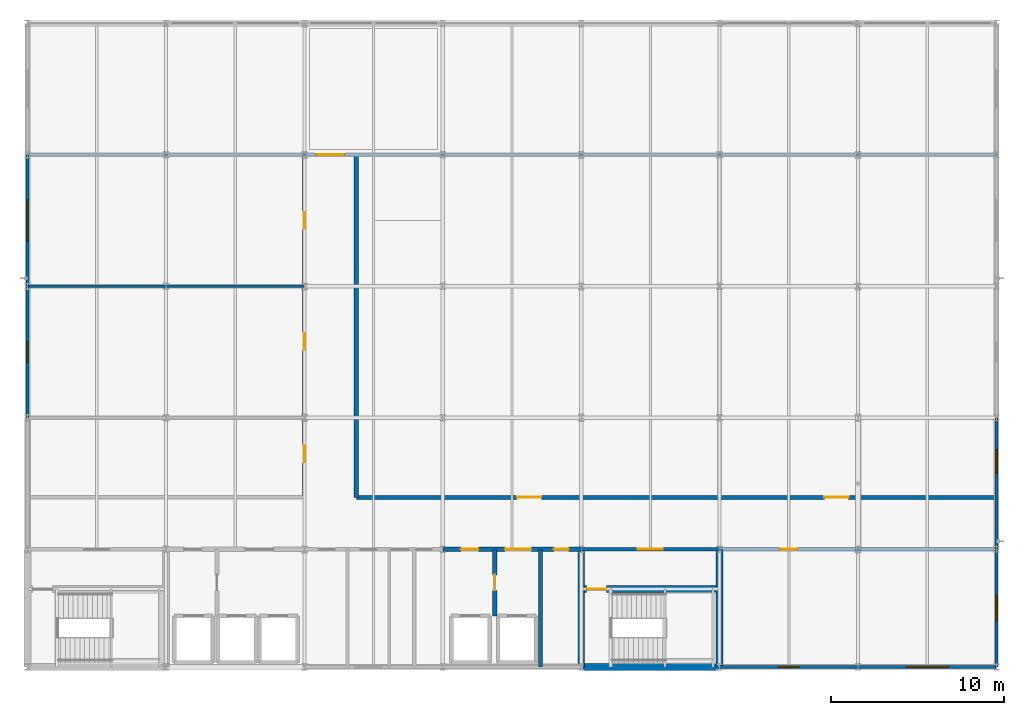
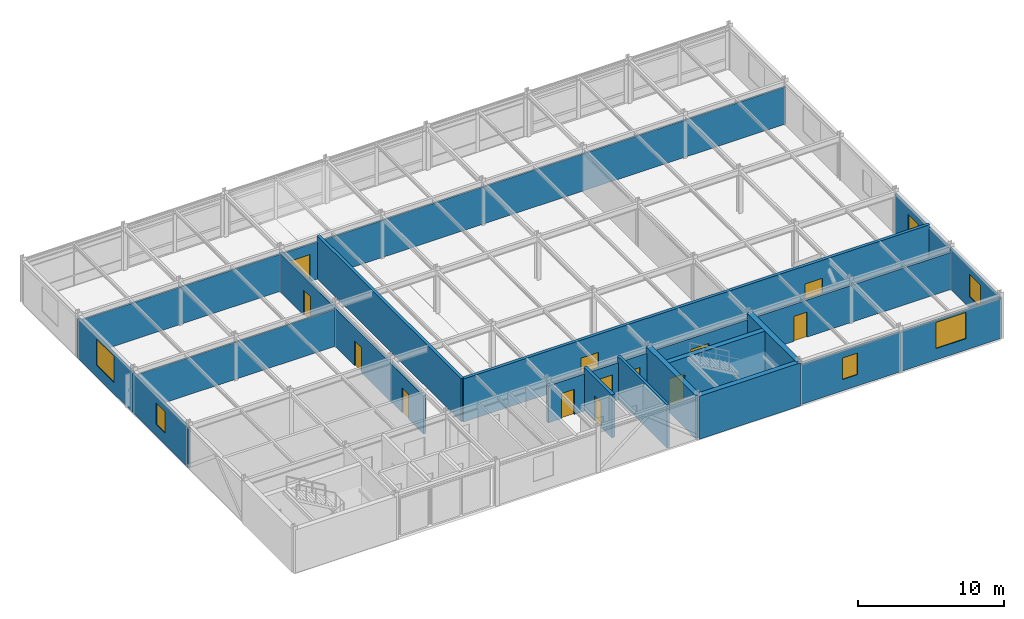
# One storey, part 12 of 15: 20 walls, 13 doors, 6 windows, 19 openings.
"""IFC4 building model written with IfcOpenShell, lengths in metres."""

from ifc_helpers import new_model, si_unit, direction, frame, frame_2d, origin, place, context, subcontext, project, spatial, rectangle, extrude, material, layer, layer_set, type_object, element, fill, save


model = new_model("IFC4")

# Units and contexts
model_context = context("Model", 3, precision=1e-05, world=origin(), true_north=direction((0.0, 1.0)))
body_context = subcontext(model_context, "Body", "Model", "MODEL_VIEW")
ifc_project = project(units=[si_unit("LENGTHUNIT", "METRE"), si_unit("AREAUNIT", "SQUARE_METRE"), si_unit("VOLUMEUNIT", "CUBIC_METRE"), si_unit("PLANEANGLEUNIT", "RADIAN"), si_unit("MASSUNIT", "GRAM", prefix="KILO")], contexts=[model_context])

# Site, building, storey
site_placement = place(None, origin())
site = spatial("IfcSite", under=ifc_project, at=site_placement, CompositionType="ELEMENT")
building_placement = place(site_placement, origin())
building = spatial("IfcBuilding", under=site, at=building_placement, Name="Shalkamar Park Central Library", CompositionType="ELEMENT")
storey_placement = place(building_placement, frame((0.0, 0.0, 47.699951171875)))
storey = spatial("IfcBuildingStorey", under=building, at=storey_placement, Name="L12", CompositionType="ELEMENT", Elevation=47.699951171875)

# Wall, opening, door
ifc_material_1 = material(Name="Acoustic insulated reading partition", Category="masonry")
ifc_layer_1 = layer(ifc_material_1, 0.139892578125)
ifc_layer_set_1 = layer_set([ifc_layer_1], Name="AcousticPartition_140")
wall_type_1 = type_object("IfcWallType", Name="Acoustic Partition 140", PredefinedType="PARTITIONING", material=ifc_layer_set_1)
wall_1_placement = place(storey_placement, frame((165.0, 278.0, 0.0), z_axis=(0.0, 0.0, 1.0), x_axis=(1.0, 0.0, 0.0)))
wall_1 = element("IfcWall", 1, at=wall_1_placement, inside=storey, type_object=wall_type_1, Name="Interior Partition WL-INT-L12-018", PredefinedType="PARTITIONING", context=body_context, shape_type="SweptSolid", body=[
    extrude(rectangle(XDim=56.0, YDim=0.139892578125, at=frame_2d((28.0, 0.0))), origin(), (0.0, 0.0, 1.0), 3.108154296875),
])
opening_1_placement = place(wall_1_placement, frame((16.699951171875, 0.0, 0.0)))
opening_1 = element("IfcOpeningElement", 2, at=opening_1_placement, cuts=wall_1, Name="Opening DR-L12-018", PredefinedType="OPENING", context=body_context, shape_type="SweptSolid", body=[
    extrude(rectangle(XDim=1.60009765625, YDim=2.25, at=frame_2d((0.800048828125, 1.125))), frame((0.0, 0.0849609375, 0.0), z_axis=(0.0, -1.0, 0.0), x_axis=(1.0, 0.0, 0.0)), (0.0, 0.0, 1.0), 0.169677734375),
])
ifc_material_2 = material(Name="Steel S355", Category="steel")
door_type_1 = type_object("IfcDoorType", Name="Interior Door Double 1600x2250", OperationType="DOUBLE_DOOR_SINGLE_SWING", PredefinedType="DOOR", material=ifc_material_2)
door_1_placement = place(opening_1_placement, origin())
door_1 = element("IfcDoor", 3, at=door_1_placement, inside=storey, type_object=door_type_1, Name="L12 Scholarly Reading Room Portal", OperationType="DOUBLE_DOOR_SINGLE_SWING", OverallHeight=2.25, OverallWidth=1.60009765625, PredefinedType="DOOR", context=body_context, shape_type="SweptSolid", body=[
    extrude(rectangle(XDim=1.60009765625, YDim=2.25, at=frame_2d((0.800048828125, 1.125))), frame((0.0, 0.02490234375, 0.0), z_axis=(0.0, -1.0, 0.0), x_axis=(1.0, 0.0, 0.0)), (0.0, 0.0, 1.0), 0.050048828125),
])
fill(opening_1, door_1)

ifc_material_3 = material(Name="Reinforced fire-compartment masonry wall", Category="masonry")
ifc_layer_2 = layer(ifc_material_3, 0.239990234375)
ifc_layer_set_2 = layer_set([ifc_layer_2], Name="CompartmentWall_240")
wall_type_2 = type_object("IfcWallType", Name="Compartment Wall 240", PredefinedType="PARTITIONING", material=ifc_layer_set_2)
wall_2_placement = place(storey_placement, frame((192.0, 251.35009765625, 0.0), z_axis=(0.0, 0.0, 1.0), x_axis=(0.0, 1.0, 0.0)))
wall_2 = element("IfcWall", 4, at=wall_2_placement, inside=storey, type_object=wall_type_2, Name="Interior Partition WL-INT-L12-002", PredefinedType="PARTITIONING", context=body_context, shape_type="SweptSolid", body=[
    extrude(rectangle(XDim=3.849853515625, YDim=0.239990234375, at=frame_2d((1.9248046875, 0.0))), origin(), (0.0, 0.0, 1.0), 3.610107421875),
])
opening_2_placement = place(wall_2_placement, frame((1.47509765625, 0.0, 0.0)))
opening_2 = element("IfcOpeningElement", 5, at=opening_2_placement, cuts=wall_2, Name="Opening DR-L12-002", PredefinedType="OPENING", context=body_context, shape_type="SweptSolid", body=[
    extrude(rectangle(XDim=0.89990234375, YDim=2.10009765625, at=frame_2d((0.449951171875, 1.050048828125))), frame((0.0, 0.134765625, 0.0), z_axis=(0.0, -1.0, 0.0), x_axis=(1.0, 0.0, 0.0)), (0.0, 0.0, 1.0), 0.269775390625),
])
door_type_2 = type_object("IfcDoorType", Name="Fire Door Single 900x2100", OperationType="NOTDEFINED", PredefinedType="DOOR", material=ifc_material_2)
door_2_placement = place(opening_2_placement, frame((0.89990234375, 0.0, 0.0), z_axis=(0.0, 0.0, 1.0), x_axis=(-1.0, 0.0, 0.0)))
door_2 = element("IfcDoor", 6, at=door_2_placement, inside=storey, type_object=door_type_2, Name="Fire Lobby Interconnect Door", OperationType="SINGLE_SWING_LEFT", OverallHeight=2.10009765625, OverallWidth=0.89990234375, PredefinedType="DOOR", context=body_context, shape_type="SweptSolid", body=[
    extrude(rectangle(XDim=0.89990234375, YDim=2.10009765625, at=frame_2d((0.449951171875, 1.050048828125))), frame((0.0, 0.02490234375, 0.0), z_axis=(0.0, -1.0, 0.0), x_axis=(1.0, 0.0, 0.0)), (0.0, 0.0, 1.0), 0.050048828125),
])
fill(opening_2, door_2)

# Wall, openings, doors
wall_3_placement = place(storey_placement, frame((189.0, 255.199951171875, 0.0), z_axis=(0.0, 0.0, 1.0), x_axis=(1.0, 0.0, 0.0)))
wall_3 = element("IfcWall", 7, at=wall_3_placement, inside=storey, type_object=wall_type_2, Name="Interior Partition WL-INT-L12-009", PredefinedType="PARTITIONING", context=body_context, shape_type="SweptSolid", body=[
    extrude(rectangle(XDim=8.0, YDim=0.239990234375, at=frame_2d((4.0, 0.0))), origin(), (0.0, 0.0, 1.0), 3.108154296875),
])
opening_3_placement = place(wall_3_placement, frame((1.050048828125, 0.0, 0.0)))
opening_3 = element("IfcOpeningElement", 8, at=opening_3_placement, cuts=wall_3, Name="Opening DR-L12-009", PredefinedType="OPENING", context=body_context, shape_type="SweptSolid", body=[
    extrude(rectangle(XDim=1.0, YDim=2.10009765625, at=frame_2d((0.5, 1.050048828125))), frame((0.0, 0.134765625, 0.0), z_axis=(0.0, -1.0, 0.0), x_axis=(1.0, 0.0, 0.0)), (0.0, 0.0, 1.0), 0.269775390625),
])
opening_4_placement = place(wall_3_placement, frame((3.60009765625, 0.0, 0.0)))
opening_4 = element("IfcOpeningElement", 9, at=opening_4_placement, cuts=wall_3, Name="Opening DR-L12-010", PredefinedType="OPENING", context=body_context, shape_type="SweptSolid", body=[
    extrude(rectangle(XDim=1.5, YDim=2.25, at=frame_2d((0.75, 1.125))), frame((0.0, 0.134765625, 0.0), z_axis=(0.0, -1.0, 0.0), x_axis=(1.0, 0.0, 0.0)), (0.0, 0.0, 1.0), 0.269775390625),
])
opening_5_placement = place(wall_3_placement, frame((6.425048828125, 0.0, 0.0)))
opening_5 = element("IfcOpeningElement", 10, at=opening_5_placement, cuts=wall_3, Name="Opening DR-L12-011", PredefinedType="OPENING", context=body_context, shape_type="SweptSolid", body=[
    extrude(rectangle(XDim=0.85009765625, YDim=2.10009765625, at=frame_2d((0.425048828125, 1.050048828125))), frame((0.0, 0.134765625, 0.0), z_axis=(0.0, -1.0, 0.0), x_axis=(1.0, 0.0, 0.0)), (0.0, 0.0, 1.0), 0.269775390625),
])
door_type_3 = type_object("IfcDoorType", Name="Fire Door Riser 850x2100", OperationType="NOTDEFINED", PredefinedType="DOOR", material=ifc_material_2)
door_3_placement = place(opening_5_placement, frame((0.85009765625, 0.0, 0.0), z_axis=(0.0, 0.0, 1.0), x_axis=(-1.0, 0.0, 0.0)))
door_3 = element("IfcDoor", 11, at=door_3_placement, inside=storey, type_object=door_type_3, Name="Mechanical Riser Access Door", OperationType="SINGLE_SWING_LEFT", OverallHeight=2.10009765625, OverallWidth=0.85009765625, PredefinedType="DOOR", context=body_context, shape_type="SweptSolid", body=[
    extrude(rectangle(XDim=0.85009765625, YDim=2.10009765625, at=frame_2d((0.425048828125, 1.050048828125))), frame((0.0, 0.02490234375, 0.0), z_axis=(0.0, -1.0, 0.0), x_axis=(1.0, 0.0, 0.0)), (0.0, 0.0, 1.0), 0.050048828125),
])
fill(opening_5, door_3)
door_type_4 = type_object("IfcDoorType", Name="Fire Door Single 1000x2100", OperationType="NOTDEFINED", PredefinedType="DOOR", material=ifc_material_2)
door_4_placement = place(opening_3_placement, origin())
door_4 = element("IfcDoor", 12, at=door_4_placement, inside=storey, type_object=door_type_4, Name="East Firefighting Lobby Door", OperationType="SINGLE_SWING_LEFT", OverallHeight=2.10009765625, OverallWidth=1.0, PredefinedType="DOOR", context=body_context, shape_type="SweptSolid", body=[
    extrude(rectangle(XDim=1.0, YDim=2.10009765625, at=frame_2d((0.5, 1.050048828125))), frame((0.0, 0.02490234375, 0.0), z_axis=(0.0, -1.0, 0.0), x_axis=(1.0, 0.0, 0.0)), (0.0, 0.0, 1.0), 0.050048828125),
])
fill(opening_3, door_4)
door_type_5 = type_object("IfcDoorType", Name="Interior Door Double 1500x2250", OperationType="DOUBLE_DOOR_SINGLE_SWING", PredefinedType="DOOR", material=ifc_material_2)
door_5_placement = place(opening_4_placement, origin())
door_5 = element("IfcDoor", 13, at=door_5_placement, inside=storey, type_object=door_type_5, Name="East Lift Lobby Entrance", OperationType="DOUBLE_DOOR_SINGLE_SWING", OverallHeight=2.25, OverallWidth=1.5, PredefinedType="DOOR", context=body_context, shape_type="SweptSolid", body=[
    extrude(rectangle(XDim=1.5, YDim=2.25, at=frame_2d((0.75, 1.125))), frame((0.0, 0.02490234375, 0.0), z_axis=(0.0, -1.0, 0.0), x_axis=(1.0, 0.0, 0.0)), (0.0, 0.0, 1.0), 0.050048828125),
])
fill(opening_4, door_5)

# Wall
wall_4_placement = place(storey_placement, frame((184.0, 258.199951171875, 0.0), z_axis=(0.0, 0.0, 1.0), x_axis=(0.0, 1.0, 0.0)))
element("IfcWall", 14, at=wall_4_placement, inside=storey, type_object=wall_type_2, Name="Interior Partition WL-INT-L12-015", PredefinedType="PARTITIONING", context=body_context, shape_type="SweptSolid", body=[
    extrude(rectangle(XDim=19.800048828125, YDim=0.239990234375, at=frame_2d((9.89990234375, 0.0))), origin(), (0.0, 0.0, 1.0), 3.610107421875),
])

# Wall, openings, doors
wall_5_placement = place(storey_placement, frame((184.0, 258.199951171875, 0.0), z_axis=(0.0, 0.0, 1.0), x_axis=(1.0, 0.0, 0.0)))
wall_5 = element("IfcWall", 15, at=wall_5_placement, inside=storey, type_object=wall_type_2, Name="Interior Partition WL-INT-L12-016", PredefinedType="PARTITIONING", context=body_context, shape_type="SweptSolid", body=[
    extrude(rectangle(XDim=37.0, YDim=0.239990234375, at=frame_2d((18.5, 0.0))), origin(), (0.0, 0.0, 1.0), 3.610107421875),
])
opening_6_placement = place(wall_5_placement, frame((9.300048828125, 0.0, 0.0)))
opening_6 = element("IfcOpeningElement", 16, at=opening_6_placement, cuts=wall_5, Name="Opening DR-L12-016", PredefinedType="OPENING", context=body_context, shape_type="SweptSolid", body=[
    extrude(rectangle(XDim=1.39990234375, YDim=2.10009765625, at=frame_2d((0.699951171875, 1.050048828125))), frame((0.0, 0.134765625, 0.0), z_axis=(0.0, -1.0, 0.0), x_axis=(1.0, 0.0, 0.0)), (0.0, 0.0, 1.0), 0.269775390625),
])
opening_7_placement = place(wall_5_placement, frame((27.06005859375, 0.0, 0.0)))
opening_7 = element("IfcOpeningElement", 17, at=opening_7_placement, cuts=wall_5, Name="Opening DR-L12-017", PredefinedType="OPENING", context=body_context, shape_type="SweptSolid", body=[
    extrude(rectangle(XDim=1.39990234375, YDim=2.10009765625, at=frame_2d((0.699951171875, 1.050048828125))), frame((0.0, 0.134765625, 0.0), z_axis=(0.0, -1.0, 0.0), x_axis=(1.0, 0.0, 0.0)), (0.0, 0.0, 1.0), 0.269775390625),
])
door_type_6 = type_object("IfcDoorType", Name="Fire Door Double 1400x2100", OperationType="DOUBLE_DOOR_SINGLE_SWING", PredefinedType="DOOR", material=ifc_material_2)
door_6_placement = place(opening_6_placement, origin())
door_6 = element("IfcDoor", 18, at=door_6_placement, inside=storey, type_object=door_type_6, Name="L12 Monograph Stacks West Door", OperationType="DOUBLE_DOOR_SINGLE_SWING", OverallHeight=2.10009765625, OverallWidth=1.39990234375, PredefinedType="DOOR", context=body_context, shape_type="SweptSolid", body=[
    extrude(rectangle(XDim=1.39990234375, YDim=2.10009765625, at=frame_2d((0.699951171875, 1.050048828125))), frame((0.0, 0.02490234375, 0.0), z_axis=(0.0, -1.0, 0.0), x_axis=(1.0, 0.0, 0.0)), (0.0, 0.0, 1.0), 0.050048828125),
])
fill(opening_6, door_6)
door_7_placement = place(opening_7_placement, origin())
door_7 = element("IfcDoor", 19, at=door_7_placement, inside=storey, type_object=door_type_6, Name="L12 Monograph Stacks East Door", OperationType="DOUBLE_DOOR_SINGLE_SWING", OverallHeight=2.10009765625, OverallWidth=1.39990234375, PredefinedType="DOOR", context=body_context, shape_type="SweptSolid", body=[
    extrude(rectangle(XDim=1.39990234375, YDim=2.10009765625, at=frame_2d((0.699951171875, 1.050048828125))), frame((0.0, 0.02490234375, 0.0), z_axis=(0.0, -1.0, 0.0), x_axis=(1.0, 0.0, 0.0)), (0.0, 0.0, 1.0), 0.050048828125),
])
fill(opening_7, door_7)

# Wall, opening, door
ifc_material_4 = material(Name="Fire-rated corridor partition wall", Category="masonry")
ifc_layer_3 = layer(ifc_material_4, 0.199951171875)
ifc_layer_set_3 = layer_set([ifc_layer_3], Name="CorridorFireWall_200")
wall_type_3 = type_object("IfcWallType", Name="Corridor Fire Wall 200", PredefinedType="PARTITIONING", material=ifc_layer_set_3)
wall_6_placement = place(storey_placement, frame((197.0, 255.199951171875, 0.0), z_axis=(0.0, 0.0, 1.0), x_axis=(1.0, 0.0, 0.0)))
wall_6 = element("IfcWall", 20, at=wall_6_placement, inside=storey, type_object=wall_type_3, Name="CORE-T2 Vestibule North Wall (L12)", PredefinedType="PARTITIONING", context=body_context, shape_type="SweptSolid", body=[
    extrude(rectangle(XDim=8.0, YDim=0.199951171875, at=frame_2d((4.0, 0.0))), origin(), (0.0, 0.0, 1.0), 3.108154296875),
])
opening_8_placement = place(wall_6_placement, frame((3.27490234375, 0.0, 0.0)))
opening_8 = element("IfcOpeningElement", 21, at=opening_8_placement, cuts=wall_6, Name="Opening DR-ST-T2-L12-VEST", PredefinedType="OPENING", context=body_context, shape_type="SweptSolid", body=[
    extrude(rectangle(XDim=1.449951171875, YDim=2.199951171875, at=frame_2d((0.72509765625, 1.10009765625))), frame((0.0, 0.11474609375, 0.0), z_axis=(0.0, -1.0, 0.0), x_axis=(1.0, 0.0, 0.0)), (0.0, 0.0, 1.0), 0.229736328125),
])
door_type_7 = type_object("IfcDoorType", Name="Stair Vestibule Door 1450x2200", OperationType="DOUBLE_DOOR_SINGLE_SWING", PredefinedType="DOOR", material=ifc_material_2)
door_8_placement = place(opening_8_placement, frame((1.449951171875, 0.0, 0.0), z_axis=(0.0, 0.0, 1.0), x_axis=(-1.0, 0.0, 0.0)))
door_8 = element("IfcDoor", 22, at=door_8_placement, inside=storey, type_object=door_type_7, Name="Protected Stair ST-T2 Vestibule Door (L12)", OperationType="DOUBLE_DOOR_SINGLE_SWING", OverallHeight=2.199951171875, OverallWidth=1.449951171875, PredefinedType="DOOR", context=body_context, shape_type="SweptSolid", body=[
    extrude(rectangle(XDim=1.449951171875, YDim=2.199951171875, at=frame_2d((0.72509765625, 1.10009765625))), frame((0.0, 0.02490234375, 0.0), z_axis=(0.0, -1.0, 0.0), x_axis=(1.0, 0.0, 0.0)), (0.0, 0.0, 1.0), 0.050048828125),
])
fill(opening_8, door_8)

wall_7_placement = place(storey_placement, frame((205.0, 255.199951171875, 0.0), z_axis=(0.0, 0.0, 1.0), x_axis=(1.0, 0.0, 0.0)))
wall_7 = element("IfcWall", 23, at=wall_7_placement, inside=storey, type_object=wall_type_3, Name="Interior Partition WL-INT-L12-010", PredefinedType="PARTITIONING", context=body_context, shape_type="SweptSolid", body=[
    extrude(rectangle(XDim=16.0, YDim=0.199951171875, at=frame_2d((8.0, 0.0))), origin(), (0.0, 0.0, 1.0), 3.108154296875),
])
opening_9_placement = place(wall_7_placement, frame((3.5, 0.0, 0.0)))
opening_9 = element("IfcOpeningElement", 24, at=opening_9_placement, cuts=wall_7, Name="Opening DR-L12-012", PredefinedType="OPENING", context=body_context, shape_type="SweptSolid", body=[
    extrude(rectangle(XDim=1.0, YDim=2.10009765625, at=frame_2d((0.5, 1.050048828125))), frame((0.0, 0.11474609375, 0.0), z_axis=(0.0, -1.0, 0.0), x_axis=(1.0, 0.0, 0.0)), (0.0, 0.0, 1.0), 0.229736328125),
])
door_type_8 = type_object("IfcDoorType", Name="Interior Door Single 1000x2100", OperationType="NOTDEFINED", PredefinedType="DOOR", material=ifc_material_2)
door_9_placement = place(opening_9_placement, frame((1.0, 0.0, 0.0), z_axis=(0.0, 0.0, 1.0), x_axis=(-1.0, 0.0, 0.0)))
door_9 = element("IfcDoor", 25, at=door_9_placement, inside=storey, type_object=door_type_8, Name="L12 Fellows Office Door", OperationType="SINGLE_SWING_RIGHT", OverallHeight=2.10009765625, OverallWidth=1.0, PredefinedType="DOOR", context=body_context, shape_type="SweptSolid", body=[
    extrude(rectangle(XDim=1.0, YDim=2.10009765625, at=frame_2d((0.5, 1.050048828125))), frame((0.0, 0.02490234375, 0.0), z_axis=(0.0, -1.0, 0.0), x_axis=(1.0, 0.0, 0.0)), (0.0, 0.0, 1.0), 0.050048828125),
])
fill(opening_9, door_9)

# Wall, openings, doors
wall_8_placement = place(storey_placement, frame((181.0, 258.199951171875, 0.0), z_axis=(0.0, 0.0, 1.0), x_axis=(0.0, 1.0, 0.0)))
wall_8 = element("IfcWall", 26, at=wall_8_placement, inside=storey, type_object=wall_type_3, Name="Interior Partition WL-INT-L12-012", PredefinedType="PARTITIONING", context=body_context, shape_type="SweptSolid", body=[
    extrude(rectangle(XDim=19.800048828125, YDim=0.199951171875, at=frame_2d((9.89990234375, 0.0))), origin(), (0.0, 0.0, 1.0), 3.2080078125),
])
opening_10_placement = place(wall_8_placement, frame((2.02490234375, 0.0, 0.0)))
opening_10 = element("IfcOpeningElement", 27, at=opening_10_placement, cuts=wall_8, Name="Opening DR-L12-013", PredefinedType="OPENING", context=body_context, shape_type="SweptSolid", body=[
    extrude(rectangle(XDim=0.949951171875, YDim=2.10009765625, at=frame_2d((0.47509765625, 1.050048828125))), frame((0.0, 0.11474609375, 0.0), z_axis=(0.0, -1.0, 0.0), x_axis=(1.0, 0.0, 0.0)), (0.0, 0.0, 1.0), 0.229736328125),
])
opening_11_placement = place(wall_8_placement, frame((8.52490234375, 0.0, 0.0)))
opening_11 = element("IfcOpeningElement", 28, at=opening_11_placement, cuts=wall_8, Name="Opening DR-L12-014", PredefinedType="OPENING", context=body_context, shape_type="SweptSolid", body=[
    extrude(rectangle(XDim=0.949951171875, YDim=2.10009765625, at=frame_2d((0.47509765625, 1.050048828125))), frame((0.0, 0.11474609375, 0.0), z_axis=(0.0, -1.0, 0.0), x_axis=(1.0, 0.0, 0.0)), (0.0, 0.0, 1.0), 0.229736328125),
])
opening_12_placement = place(wall_8_placement, frame((15.52490234375, 0.0, 0.0)))
opening_12 = element("IfcOpeningElement", 29, at=opening_12_placement, cuts=wall_8, Name="Opening DR-L12-015", PredefinedType="OPENING", context=body_context, shape_type="SweptSolid", body=[
    extrude(rectangle(XDim=0.949951171875, YDim=2.10009765625, at=frame_2d((0.47509765625, 1.050048828125))), frame((0.0, 0.11474609375, 0.0), z_axis=(0.0, -1.0, 0.0), x_axis=(1.0, 0.0, 0.0)), (0.0, 0.0, 1.0), 0.229736328125),
])
door_type_9 = type_object("IfcDoorType", Name="Interior Door Single 950x2100", OperationType="NOTDEFINED", PredefinedType="DOOR", material=ifc_material_2)
door_10_placement = place(opening_10_placement, origin())
door_10 = element("IfcDoor", 30, at=door_10_placement, inside=storey, type_object=door_type_9, Name="L12 Study Suite 1 Door", OperationType="SINGLE_SWING_LEFT", OverallHeight=2.10009765625, OverallWidth=0.949951171875, PredefinedType="DOOR", context=body_context, shape_type="SweptSolid", body=[
    extrude(rectangle(XDim=0.949951171875, YDim=2.10009765625, at=frame_2d((0.47509765625, 1.050048828125))), frame((0.0, 0.02490234375, 0.0), z_axis=(0.0, -1.0, 0.0), x_axis=(1.0, 0.0, 0.0)), (0.0, 0.0, 1.0), 0.050048828125),
])
fill(opening_10, door_10)
door_11_placement = place(opening_11_placement, origin())
door_11 = element("IfcDoor", 31, at=door_11_placement, inside=storey, type_object=door_type_9, Name="L12 Study Suite 2 Door", OperationType="SINGLE_SWING_LEFT", OverallHeight=2.10009765625, OverallWidth=0.949951171875, PredefinedType="DOOR", context=body_context, shape_type="SweptSolid", body=[
    extrude(rectangle(XDim=0.949951171875, YDim=2.10009765625, at=frame_2d((0.47509765625, 1.050048828125))), frame((0.0, 0.02490234375, 0.0), z_axis=(0.0, -1.0, 0.0), x_axis=(1.0, 0.0, 0.0)), (0.0, 0.0, 1.0), 0.050048828125),
])
fill(opening_11, door_11)
door_12_placement = place(opening_12_placement, origin())
door_12 = element("IfcDoor", 32, at=door_12_placement, inside=storey, type_object=door_type_9, Name="L12 Study Suite 3 Door", OperationType="SINGLE_SWING_RIGHT", OverallHeight=2.10009765625, OverallWidth=0.949951171875, PredefinedType="DOOR", context=body_context, shape_type="SweptSolid", body=[
    extrude(rectangle(XDim=0.949951171875, YDim=2.10009765625, at=frame_2d((0.47509765625, 1.050048828125))), frame((0.0, 0.02490234375, 0.0), z_axis=(0.0, -1.0, 0.0), x_axis=(1.0, 0.0, 0.0)), (0.0, 0.0, 1.0), 0.050048828125),
])
fill(opening_12, door_12)

# Walls
ifc_material_5 = material(Name="Fire-rated shaft enclosure wall", Category="masonry")
ifc_layer_4 = layer(ifc_material_5, 0.219970703125)
ifc_layer_set_4 = layer_set([ifc_layer_4], Name="ShaftWall_220")
wall_type_4 = type_object("IfcWallType", Name="Shaft Wall 220", PredefinedType="PARTITIONING", material=ifc_layer_set_4)
wall_9_placement = place(storey_placement, frame((194.64990234375, 248.39990234375, 0.0), z_axis=(0.0, 0.0, 1.0), x_axis=(0.0, 1.0, 0.0)))
element("IfcWall", 33, at=wall_9_placement, inside=storey, type_object=wall_type_4, Name="Interior Partition WL-INT-L12-003", PredefinedType="PARTITIONING", context=body_context, shape_type="SweptSolid", body=[
    extrude(rectangle(XDim=6.800048828125, YDim=0.219970703125, at=frame_2d((3.39990234375, 0.0))), origin(), (0.0, 0.0, 1.0), 3.610107421875),
])
ifc_material_6 = material(Name="Lightweight acoustic stud partition", Category="masonry")
ifc_layer_5 = layer(ifc_material_6, 0.1201171875)
ifc_layer_set_5 = layer_set([ifc_layer_5], Name="StandardPartition_120")
wall_type_5 = type_object("IfcWallType", Name="Standard Partition 120", PredefinedType="PARTITIONING", material=ifc_layer_set_5)
wall_10_placement = place(storey_placement, frame((165.0, 270.39990234375, 0.0), z_axis=(0.0, 0.0, 1.0), x_axis=(1.0, 0.0, 0.0)))
element("IfcWall", 34, at=wall_10_placement, inside=storey, type_object=wall_type_5, Name="Interior Partition WL-INT-L12-014", PredefinedType="PARTITIONING", context=body_context, shape_type="SweptSolid", body=[
    extrude(rectangle(XDim=16.0, YDim=0.1201171875, at=frame_2d((8.0, 0.0))), origin(), (0.0, 0.0, 1.0), 3.108154296875),
])
ifc_material_7 = material(Name="Concrete C40/50", Category="concrete")
ifc_layer_6 = layer(ifc_material_7, 0.39990234375)
ifc_layer_set_6 = layer_set([ifc_layer_6], Name="Concrete C40/50")
wall_type_6 = type_object("IfcWallType", Name="Tower Core Shear Wall 400", PredefinedType="SHEAR", material=ifc_layer_set_6)
wall_11_placement = place(storey_placement, frame((197.0, 248.39990234375, 0.0), z_axis=(0.0, 0.0, 1.0), x_axis=(1.0, 0.0, 0.0)))
element("IfcWall", 35, at=wall_11_placement, inside=storey, type_object=wall_type_6, Name="CORE-T2 South Shear Wall (L12)", PredefinedType="SHEAR", context=body_context, shape_type="SweptSolid", body=[
    extrude(rectangle(XDim=8.0, YDim=0.39990234375, at=frame_2d((4.0, 0.0))), origin(), (0.0, 0.0, 1.0), 3.610107421875),
])
for number, where, z_axis, x_axis, name in (
    (36, (197.0, 248.39990234375, 0.0), (0.0, 0.0, 1.0), (0.0, 1.0, 0.0), "CORE-T2 West Shear Wall (L12)"),
    (37, (205.0, 248.39990234375, 0.0), (0.0, 0.0, 1.0), (0.0, 1.0, 0.0), "CORE-T2 East Shear Wall (L12)"),
):
    element("IfcWall", number, at=place(storey_placement, frame(where, z_axis=z_axis, x_axis=x_axis)), inside=storey, type_object=wall_type_6, Name=name, PredefinedType="SHEAR", context=body_context, shape_type="SweptSolid", body=[
        extrude(rectangle(XDim=6.800048828125, YDim=0.39990234375, at=frame_2d((3.39990234375, 0.0))), origin(), (0.0, 0.0, 1.0), 3.610107421875),
    ])

# Wall, opening, door
wall_12_placement = place(storey_placement, frame((197.0, 252.89990234375, 0.0), z_axis=(0.0, 0.0, 1.0), x_axis=(1.0, 0.0, 0.0)))
wall_12 = element("IfcWall", 38, at=wall_12_placement, inside=storey, type_object=wall_type_6, Name="CORE-T2 Stairwell Wall (L12)", PredefinedType="SHEAR", context=body_context, shape_type="SweptSolid", body=[
    extrude(rectangle(XDim=8.0, YDim=0.39990234375, at=frame_2d((4.0, 0.0))), origin(), (0.0, 0.0, 1.0), 3.610107421875),
])
opening_13_placement = place(wall_12_placement, frame((0.300048828125, 0.0, 0.0)))
opening_13 = element("IfcOpeningElement", 39, at=opening_13_placement, cuts=wall_12, Name="Opening DR-ST-T2-L12-IN", PredefinedType="OPENING", context=body_context, shape_type="SweptSolid", body=[
    extrude(rectangle(XDim=1.14990234375, YDim=2.14990234375, at=frame_2d((0.574951171875, 1.074951171875))), frame((0.0, 0.21484375, 0.0), z_axis=(0.0, -1.0, 0.0), x_axis=(1.0, 0.0, 0.0)), (0.0, 0.0, 1.0), 0.4296875),
])
door_type_10 = type_object("IfcDoorType", Name="Stair Core Exit Door 1150x2150", OperationType="NOTDEFINED", PredefinedType="DOOR", material=ifc_material_2)
door_13_placement = place(opening_13_placement, frame((1.14990234375, 0.0, 0.0), z_axis=(0.0, 0.0, 1.0), x_axis=(-1.0, 0.0, 0.0)))
door_13 = element("IfcDoor", 40, at=door_13_placement, inside=storey, type_object=door_type_10, Name="Protected Stair ST-T2 Exit Door (L12)", OperationType="SINGLE_SWING_RIGHT", OverallHeight=2.14990234375, OverallWidth=1.14990234375, PredefinedType="DOOR", context=body_context, shape_type="SweptSolid", body=[
    extrude(rectangle(XDim=1.14990234375, YDim=2.14990234375, at=frame_2d((0.574951171875, 1.074951171875))), frame((0.0, 0.02490234375, 0.0), z_axis=(0.0, -1.0, 0.0), x_axis=(1.0, 0.0, 0.0)), (0.0, 0.0, 1.0), 0.050048828125),
])
fill(opening_13, door_13)

# Wall, opening, window
ifc_material_8 = material(Name="Terracotta insulated wall panel", Category="masonry")
ifc_layer_7 = layer(ifc_material_8, 0.179931640625)
ifc_layer_set_7 = layer_set([ifc_layer_7], Name="TowerSpandrelWall_180")
wall_type_7 = type_object("IfcWallType", Name="Tower Spandrel Wall 180", PredefinedType="SOLIDWALL", material=ifc_layer_set_7)
wall_13_placement = place(storey_placement, frame((205.006103515625, 248.39990234375, 0.0), z_axis=(0.0, 0.0, 1.0), x_axis=(1.0, 0.0, 0.0)))
wall_13 = element("IfcWall", 41, at=wall_13_placement, inside=storey, type_object=wall_type_7, Name="Exterior Facade Wall WL-EXT-L12-225", PredefinedType="SOLIDWALL", context=body_context, shape_type="SweptSolid", body=[
    extrude(rectangle(XDim=7.98779296875, YDim=0.179931640625, at=frame_2d((3.993896484375, 0.0))), origin(), (0.0, 0.0, 1.0), 3.298095703125),
])
opening_14_placement = place(wall_13_placement, frame((3.39404296875, 0.0, 0.949951171875)))
opening_14 = element("IfcOpeningElement", 42, at=opening_14_placement, cuts=wall_13, Name="Opening WN-16", PredefinedType="OPENING", context=body_context, shape_type="SweptSolid", body=[
    extrude(rectangle(XDim=1.199951171875, YDim=1.800048828125, at=frame_2d((0.60009765625, 0.89990234375))), frame((0.0, 0.10498046875, 0.0), z_axis=(0.0, -1.0, 0.0), x_axis=(1.0, 0.0, 0.0)), (0.0, 0.0, 1.0), 0.209716796875),
])
ifc_material_9 = material(Name="Thermally broken aluminium and triple low-e glass", Category="glass")
window_type_1 = type_object("IfcWindowType", Name="Tower Window 1200x1800", PartitioningType="SINGLE_PANEL", PredefinedType="WINDOW", material=ifc_material_9)
window_1_placement = place(opening_14_placement, origin())
window_1 = element("IfcWindow", 43, at=window_1_placement, inside=storey, type_object=window_type_1, Name="Facade Window WN-L12-163", OverallHeight=1.800048828125, OverallWidth=1.199951171875, PartitioningType="SINGLE_PANEL", PredefinedType="WINDOW", context=body_context, shape_type="SweptSolid", body=[
    extrude(rectangle(XDim=1.199951171875, YDim=1.800048828125, at=frame_2d((0.60009765625, 0.89990234375))), frame((0.0, 0.030029296875, 0.0), z_axis=(0.0, -1.0, 0.0), x_axis=(1.0, 0.0, 0.0)), (0.0, 0.0, 1.0), 0.06005859375),
])
fill(opening_14, window_1)

wall_14_placement = place(storey_placement, frame((213.006103515625, 248.39990234375, 0.0), z_axis=(0.0, 0.0, 1.0), x_axis=(1.0, 0.0, 0.0)))
wall_14 = element("IfcWall", 44, at=wall_14_placement, inside=storey, type_object=wall_type_7, Name="Exterior Facade Wall WL-EXT-L12-226", PredefinedType="SOLIDWALL", context=body_context, shape_type="SweptSolid", body=[
    extrude(rectangle(XDim=7.98779296875, YDim=0.179931640625, at=frame_2d((3.993896484375, 0.0))), origin(), (0.0, 0.0, 1.0), 3.298095703125),
])
opening_15_placement = place(wall_14_placement, frame((2.7939453125, 0.0, 0.949951171875)))
opening_15 = element("IfcOpeningElement", 45, at=opening_15_placement, cuts=wall_14, Name="Opening WN-09", PredefinedType="OPENING", context=body_context, shape_type="SweptSolid", body=[
    extrude(rectangle(XDim=2.39990234375, YDim=2.199951171875, at=frame_2d((1.199951171875, 1.10009765625))), frame((0.0, 0.10498046875, 0.0), z_axis=(0.0, -1.0, 0.0), x_axis=(1.0, 0.0, 0.0)), (0.0, 0.0, 1.0), 0.209716796875),
])
window_type_2 = type_object("IfcWindowType", Name="Tower Window 2400x2200", PartitioningType="DOUBLE_PANEL_VERTICAL", PredefinedType="WINDOW", material=ifc_material_9)
window_2_placement = place(opening_15_placement, origin())
window_2 = element("IfcWindow", 46, at=window_2_placement, inside=storey, type_object=window_type_2, Name="Facade Window WN-L12-164", OverallHeight=2.199951171875, OverallWidth=2.39990234375, PartitioningType="DOUBLE_PANEL_VERTICAL", PredefinedType="WINDOW", context=body_context, shape_type="SweptSolid", body=[
    extrude(rectangle(XDim=2.39990234375, YDim=2.199951171875, at=frame_2d((1.199951171875, 1.10009765625))), frame((0.0, 0.030029296875, 0.0), z_axis=(0.0, -1.0, 0.0), x_axis=(1.0, 0.0, 0.0)), (0.0, 0.0, 1.0), 0.06005859375),
])
fill(opening_15, window_2)

wall_15_placement = place(storey_placement, frame((165.0, 262.805908203125, 0.0), z_axis=(0.0, 0.0, 1.0), x_axis=(0.0, 1.0, 0.0)))
wall_15 = element("IfcWall", 47, at=wall_15_placement, inside=storey, type_object=wall_type_7, Name="Exterior Facade Wall WL-EXT-L12-228", PredefinedType="SOLIDWALL", context=body_context, shape_type="SweptSolid", body=[
    extrude(rectangle(XDim=7.588134765625, YDim=0.179931640625, at=frame_2d((3.7939453125, 0.0))), origin(), (0.0, 0.0, 1.0), 3.338134765625),
])
opening_16_placement = place(wall_15_placement, frame((3.194091796875, 0.0, 0.949951171875)))
opening_16 = element("IfcOpeningElement", 48, at=opening_16_placement, cuts=wall_15, Name="Opening WN-16", PredefinedType="OPENING", context=body_context, shape_type="SweptSolid", body=[
    extrude(rectangle(XDim=1.199951171875, YDim=1.800048828125, at=frame_2d((0.60009765625, 0.89990234375))), frame((0.0, 0.10498046875, 0.0), z_axis=(0.0, -1.0, 0.0), x_axis=(1.0, 0.0, 0.0)), (0.0, 0.0, 1.0), 0.209716796875),
])
window_3_placement = place(opening_16_placement, origin())
window_3 = element("IfcWindow", 49, at=window_3_placement, inside=storey, type_object=window_type_1, Name="Facade Window WN-L12-165", OverallHeight=1.800048828125, OverallWidth=1.199951171875, PartitioningType="SINGLE_PANEL", PredefinedType="WINDOW", context=body_context, shape_type="SweptSolid", body=[
    extrude(rectangle(XDim=1.199951171875, YDim=1.800048828125, at=frame_2d((0.60009765625, 0.89990234375))), frame((0.0, 0.030029296875, 0.0), z_axis=(0.0, -1.0, 0.0), x_axis=(1.0, 0.0, 0.0)), (0.0, 0.0, 1.0), 0.06005859375),
])
fill(opening_16, window_3)

wall_16_placement = place(storey_placement, frame((165.0, 270.406005859375, 0.0), z_axis=(0.0, 0.0, 1.0), x_axis=(0.0, 1.0, 0.0)))
wall_16 = element("IfcWall", 50, at=wall_16_placement, inside=storey, type_object=wall_type_7, Name="Exterior Facade Wall WL-EXT-L12-229", PredefinedType="SOLIDWALL", context=body_context, shape_type="SweptSolid", body=[
    extrude(rectangle(XDim=7.587890625, YDim=0.179931640625, at=frame_2d((3.7939453125, 0.0))), origin(), (0.0, 0.0, 1.0), 3.338134765625),
])
opening_17_placement = place(wall_16_placement, frame((2.593994140625, 0.0, 0.949951171875)))
opening_17 = element("IfcOpeningElement", 51, at=opening_17_placement, cuts=wall_16, Name="Opening WN-09", PredefinedType="OPENING", context=body_context, shape_type="SweptSolid", body=[
    extrude(rectangle(XDim=2.39990234375, YDim=2.199951171875, at=frame_2d((1.199951171875, 1.10009765625))), frame((0.0, 0.10498046875, 0.0), z_axis=(0.0, -1.0, 0.0), x_axis=(1.0, 0.0, 0.0)), (0.0, 0.0, 1.0), 0.209716796875),
])
window_4_placement = place(opening_17_placement, origin())
window_4 = element("IfcWindow", 52, at=window_4_placement, inside=storey, type_object=window_type_2, Name="Facade Window WN-L12-166", OverallHeight=2.199951171875, OverallWidth=2.39990234375, PartitioningType="DOUBLE_PANEL_VERTICAL", PredefinedType="WINDOW", context=body_context, shape_type="SweptSolid", body=[
    extrude(rectangle(XDim=2.39990234375, YDim=2.199951171875, at=frame_2d((1.199951171875, 1.10009765625))), frame((0.0, 0.030029296875, 0.0), z_axis=(0.0, -1.0, 0.0), x_axis=(1.0, 0.0, 0.0)), (0.0, 0.0, 1.0), 0.06005859375),
])
fill(opening_17, window_4)

wall_17_placement = place(storey_placement, frame((221.0, 248.406005859375, 0.0), z_axis=(0.0, 0.0, 1.0), x_axis=(0.0, 1.0, 0.0)))
wall_17 = element("IfcWall", 53, at=wall_17_placement, inside=storey, type_object=wall_type_7, Name="Exterior Facade Wall WL-EXT-L12-231", PredefinedType="SOLIDWALL", context=body_context, shape_type="SweptSolid", body=[
    extrude(rectangle(XDim=6.7880859375, YDim=0.179931640625, at=frame_2d((3.39404296875, 0.0))), origin(), (0.0, 0.0, 1.0), 3.3779296875),
])
opening_18_placement = place(wall_17_placement, frame((2.64404296875, 0.0, 0.949951171875)))
opening_18 = element("IfcOpeningElement", 54, at=opening_18_placement, cuts=wall_17, Name="Opening WN-14", PredefinedType="OPENING", context=body_context, shape_type="SweptSolid", body=[
    extrude(rectangle(XDim=1.5, YDim=1.89990234375, at=frame_2d((0.75, 0.949951171875))), frame((0.0, 0.10498046875, 0.0), z_axis=(0.0, -1.0, 0.0), x_axis=(1.0, 0.0, 0.0)), (0.0, 0.0, 1.0), 0.209716796875),
])
window_type_3 = type_object("IfcWindowType", Name="Tower Window 1500x1900", PartitioningType="SINGLE_PANEL", PredefinedType="WINDOW", material=ifc_material_9)
window_5_placement = place(opening_18_placement, origin())
window_5 = element("IfcWindow", 55, at=window_5_placement, inside=storey, type_object=window_type_3, Name="Facade Window WN-L12-168", OverallHeight=1.89990234375, OverallWidth=1.5, PartitioningType="SINGLE_PANEL", PredefinedType="WINDOW", context=body_context, shape_type="SweptSolid", body=[
    extrude(rectangle(XDim=1.5, YDim=1.89990234375, at=frame_2d((0.75, 0.949951171875))), frame((0.0, 0.030029296875, 0.0), z_axis=(0.0, -1.0, 0.0), x_axis=(1.0, 0.0, 0.0)), (0.0, 0.0, 1.0), 0.06005859375),
])
fill(opening_18, window_5)

wall_18_placement = place(storey_placement, frame((221.0, 255.2060546875, 0.0), z_axis=(0.0, 0.0, 1.0), x_axis=(0.0, 1.0, 0.0)))
wall_18 = element("IfcWall", 56, at=wall_18_placement, inside=storey, type_object=wall_type_7, Name="Exterior Facade Wall WL-EXT-L12-232", PredefinedType="SOLIDWALL", context=body_context, shape_type="SweptSolid", body=[
    extrude(rectangle(XDim=7.587890625, YDim=0.179931640625, at=frame_2d((3.7939453125, 0.0))), origin(), (0.0, 0.0, 1.0), 3.338134765625),
])
opening_19_placement = place(wall_18_placement, frame((4.39111328125, 0.0, 0.949951171875)))
opening_19 = element("IfcOpeningElement", 57, at=opening_19_placement, cuts=wall_18, Name="Opening WN-15", PredefinedType="OPENING", context=body_context, shape_type="SweptSolid", body=[
    extrude(rectangle(XDim=1.35009765625, YDim=1.800048828125, at=frame_2d((0.675048828125, 0.89990234375))), frame((0.0, 0.10498046875, 0.0), z_axis=(0.0, -1.0, 0.0), x_axis=(1.0, 0.0, 0.0)), (0.0, 0.0, 1.0), 0.209716796875),
])
window_type_4 = type_object("IfcWindowType", Name="Tower Window 1350x1800", PartitioningType="SINGLE_PANEL", PredefinedType="WINDOW", material=ifc_material_9)
window_6_placement = place(opening_19_placement, origin())
window_6 = element("IfcWindow", 58, at=window_6_placement, inside=storey, type_object=window_type_4, Name="Facade Window WN-L12-169", OverallHeight=1.800048828125, OverallWidth=1.35009765625, PartitioningType="SINGLE_PANEL", PredefinedType="WINDOW", context=body_context, shape_type="SweptSolid", body=[
    extrude(rectangle(XDim=1.35009765625, YDim=1.800048828125, at=frame_2d((0.675048828125, 0.89990234375))), frame((0.0, 0.030029296875, 0.0), z_axis=(0.0, -1.0, 0.0), x_axis=(1.0, 0.0, 0.0)), (0.0, 0.0, 1.0), 0.06005859375),
])
fill(opening_19, window_6)

save(model, "model.ifc")
